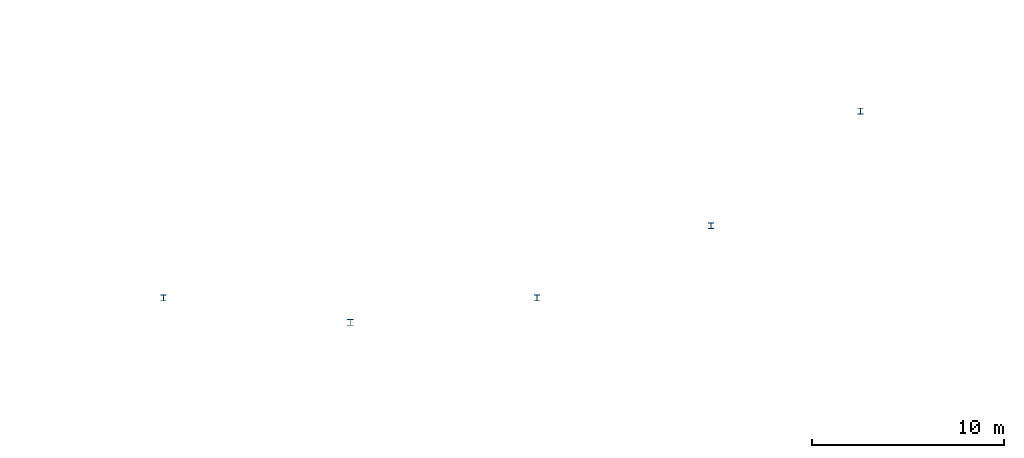
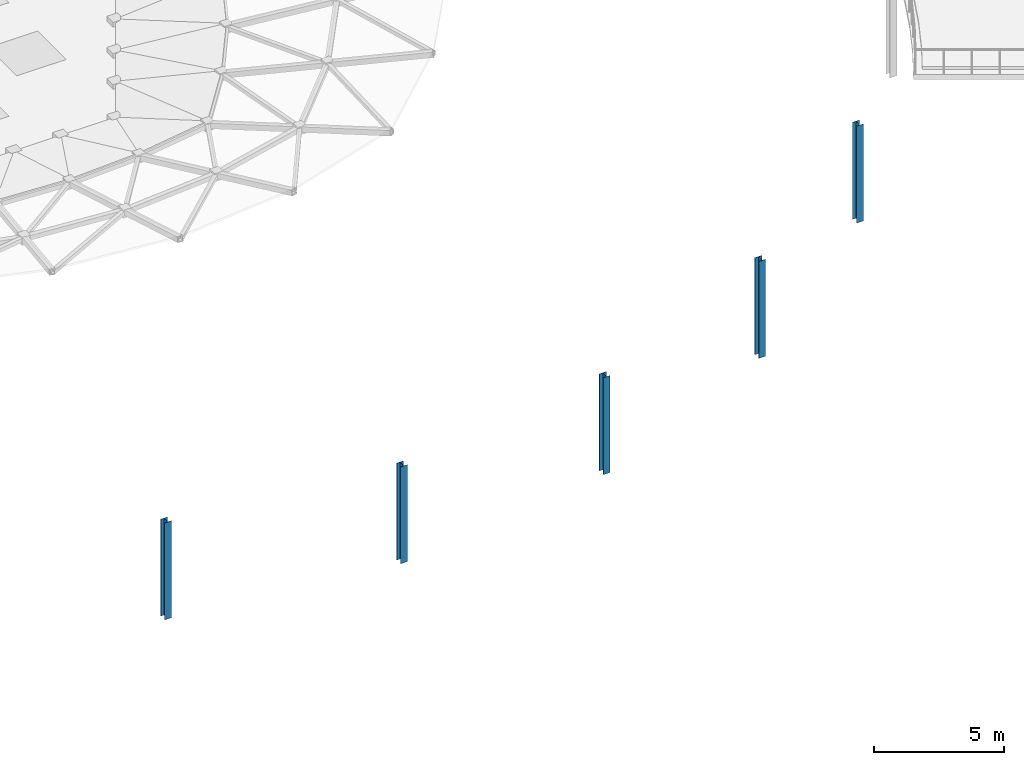
# One storey, part 3 of 116: 5 columns.
"""IFC4 building model written with IfcOpenShell, lengths in metres."""

import ifcopenshell
import ifcopenshell.guid

model = None  # the IFC model being written
_history = None  # IfcOwnerHistory: only IFC2X3 demands one
_inside = {}  # id of a spatial element -> (the spatial element, [elements in it])
_under = {}  # id of a project, library or spatial element -> (it, [spatial elements below it])
_declared = {}  # id of a project -> (the project, [libraries it declares])
_typed = {}  # id of a type object -> (the type object, [elements of that type])
_made_of = {}  # id of a material, layer set ... -> (it, [elements and type objects made of it])


def new_model(schema):
    """Start an empty IFC model of exactly this schema.

    Asked for "IFC4X3", IfcOpenShell would pick the latest addendum, in which some entities
    have other attributes; the version numbers below select the first issue.
    IFC2X3 requires an IfcOwnerHistory on every rooted entity: one is made here for all.
    """
    global model, _history
    if schema == "IFC4X3":
        model = ifcopenshell.file(schema_version=(4, 3, 0, 0))
    else:
        model = ifcopenshell.file(schema=schema)
    _inside.clear()
    _under.clear()
    _declared.clear()
    _typed.clear()
    _made_of.clear()
    _history = None
    if model.schema == "IFC2X3":
        org = make("IfcOrganization", Name="unknown")
        user = make(
            "IfcPersonAndOrganization",
            ThePerson=make("IfcPerson", FamilyName="unknown"),
            TheOrganization=org,
        )
        app = make(
            "IfcApplication",
            ApplicationDeveloper=org,
            Version="unknown",
            ApplicationFullName="unknown",
            ApplicationIdentifier="unknown",
        )
        _history = make(
            "IfcOwnerHistory",
            OwningUser=user,
            OwningApplication=app,
            ChangeAction="ADDED",
            CreationDate=0,
        )
    return model


def make(cls, **values):
    """One entity of the class cls with the attributes given. An attribute that is None is left unset."""
    return model.create_entity(
        cls, **{name: value for name, value in values.items() if value is not None}
    )


def rooted(cls, **values):
    """An entity with a GlobalId (a new one), such as an element, a storey or a relation."""
    return make(cls, GlobalId=ifcopenshell.guid.new(), OwnerHistory=_history, **values)


def si_unit(unit_type, name, prefix=None):
    """IfcSIUnit, for example si_unit("LENGTHUNIT", "METRE", prefix="MILLI")."""
    return make("IfcSIUnit", UnitType=unit_type, Prefix=prefix, Name=name)


def assignment(units):
    """IfcUnitAssignment: the units of a project."""
    return None if units is None else make("IfcUnitAssignment", Units=units)


def point(xyz):
    """IfcCartesianPoint."""
    return None if xyz is None else make("IfcCartesianPoint", Coordinates=xyz)


def direction(xyz):
    """IfcDirection."""
    return None if xyz is None else make("IfcDirection", DirectionRatios=xyz)


def frame(location, z_axis=None, x_axis=None):
    """IfcAxis2Placement3D, a coordinate frame: its origin and axes. An axis left out is left unset."""
    return make(
        "IfcAxis2Placement3D",
        Location=point(location),
        Axis=direction(z_axis),
        RefDirection=direction(x_axis),
    )


def frame_2d(location, x_axis=None):
    """IfcAxis2Placement2D, a coordinate frame in the plane: its origin and x axis."""
    return make(
        "IfcAxis2Placement2D", Location=point(location), RefDirection=direction(x_axis)
    )


def origin():
    """The frame at (0, 0, 0) with its axes left unset."""
    return frame((0.0, 0.0, 0.0))


def origin_2d():
    """The frame at (0, 0) in the plane with its x axis left unset."""
    return frame_2d((0.0, 0.0))


def place(relative_to, where):
    """IfcLocalPlacement: puts the frame where relative to a parent placement (None: the world)."""
    return make(
        "IfcLocalPlacement", PlacementRelTo=relative_to, RelativePlacement=where
    )


def context(
    kind, dimensions, precision=None, world=None, true_north=None, identifier=None
):
    """IfcGeometricRepresentationContext, for example the 3D "Model" context."""
    return make(
        "IfcGeometricRepresentationContext",
        ContextIdentifier=identifier,
        ContextType=kind,
        CoordinateSpaceDimension=dimensions,
        Precision=precision,
        WorldCoordinateSystem=world,
        TrueNorth=true_north,
    )


def subcontext(parent, identifier, kind, view, scale=None):
    """IfcGeometricRepresentationSubContext, for example "Body" below "Model"."""
    return make(
        "IfcGeometricRepresentationSubContext",
        ContextIdentifier=identifier,
        ContextType=kind,
        ParentContext=parent,
        TargetScale=scale,
        TargetView=view,
    )


def project(units=None, contexts=None):
    """IfcProject with its units and contexts."""
    return rooted(
        "IfcProject",
        Name="project",
        RepresentationContexts=contexts,
        UnitsInContext=assignment(units),
    )


def spatial(cls, under=None, at=None, **own):
    """A site, building, storey or space (cls), placed at a placement, below another one or the project."""
    s = rooted(cls, ObjectPlacement=at, **own)
    if under is not None:
        _under.setdefault(under.id(), (under, []))[1].append(s)
    return s


def profile(cls, at=None, kind="AREA", **sizes):
    """A parametric profile (cls). Its sizes go by their IFC names, for example OverallWidth=200.0."""
    return make(cls, ProfileType=kind, Position=at, **sizes)


def i_section(**sizes):
    """IfcIShapeProfileDef."""
    return profile("IfcIShapeProfileDef", **sizes)


def extrude(swept, where, along, depth):
    """IfcExtrudedAreaSolid: the profile swept, set in the frame where, extruded along a direction by depth."""
    return make(
        "IfcExtrudedAreaSolid",
        SweptArea=swept,
        Position=where,
        ExtrudedDirection=direction(along),
        Depth=depth,
    )


def shape(context_of_items, identifier, shape_type, items):
    """IfcShapeRepresentation: the items that make up one representation, for example the "Body"."""
    return make(
        "IfcShapeRepresentation",
        ContextOfItems=context_of_items,
        RepresentationIdentifier=identifier,
        RepresentationType=shape_type,
        Items=items,
    )


def material(Name=None, Category=None):
    """IfcMaterial."""
    return make("IfcMaterial", Name=Name, Category=Category)


def material_profile(
    of_material, cross_section, Name=None, Category=None, Priority=None
):
    """IfcMaterialProfile: a cross section and its material."""
    return make(
        "IfcMaterialProfile",
        Name=Name,
        Material=of_material,
        Profile=cross_section,
        Priority=Priority,
        Category=Category,
    )


def profile_set(profiles, Name=None, composite=None):
    """IfcMaterialProfileSet."""
    return make(
        "IfcMaterialProfileSet",
        Name=Name,
        MaterialProfiles=profiles,
        CompositeProfile=composite,
    )


def made_of(thing, what):
    """Note that an element or type object is made of a material, layer set ...; save() writes the relation."""
    if what is not None:
        _made_of.setdefault(what.id(), (what, []))[1].append(thing)
    return thing


def type_object(cls, material=None, **own):
    """A type object (cls), such as IfcWallType, which elements share."""
    return made_of(rooted(cls, **own), material)


def element(
    cls,
    number,
    at=None,
    inside=None,
    cuts=None,
    type_object=None,
    material=None,
    context=None,
    identifier="Body",
    shape_type=None,
    held_by="IfcProductDefinitionShape",
    body=None,
    shapes=None,
    **own,
):
    """One element of the class cls, such as IfcWall. Its Tag is "e" and its number.

    at: its placement. inside: the storey or other place that contains it. cuts: it is an
    opening in that element (IfcRelVoidsElement). A single representation is given by context,
    identifier, shape_type and body (its items); several are given by shapes. held_by: the class
    of the entity that holds the representations. save() writes the other relations.
    """
    e = rooted(cls, Tag="e%d" % number, ObjectPlacement=at, **own)
    if body is not None:
        shapes = [shape(context, identifier, shape_type, body)]
    if shapes is not None:
        e.Representation = make(held_by, Representations=shapes)
    if inside is not None:
        _inside.setdefault(inside.id(), (inside, []))[1].append(e)
    if cuts is not None:
        rooted(
            "IfcRelVoidsElement", RelatingBuildingElement=cuts, RelatedOpeningElement=e
        )
    if type_object is not None:
        _typed.setdefault(type_object.id(), (type_object, []))[1].append(e)
    return made_of(e, material)


def aggregate(whole, parts):
    """IfcRelAggregates: a whole, such as a stair, and the parts it consists of."""
    return rooted("IfcRelAggregates", RelatingObject=whole, RelatedObjects=parts)


def save(model, path):
    """Write the relations noted so far, then the file.

    IfcRelAggregates (storeys below a building ...), IfcRelContainedInSpatialStructure (elements
    in a storey), IfcRelDefinesByType, IfcRelAssociatesMaterial and IfcRelDeclares: one each for
    every whole, place, type object, material and project.
    """
    for whole, parts in _under.values():
        aggregate(whole, parts)
    for where, things in _inside.values():
        rooted(
            "IfcRelContainedInSpatialStructure",
            RelatedElements=things,
            RelatingStructure=where,
        )
    for kind, things in _typed.values():
        rooted("IfcRelDefinesByType", RelatedObjects=things, RelatingType=kind)
    for what, things in _made_of.values():
        rooted("IfcRelAssociatesMaterial", RelatedObjects=things, RelatingMaterial=what)
    for by, libraries in _declared.values():
        rooted("IfcRelDeclares", RelatingContext=by, RelatedDefinitions=libraries)
    model.write(path)


model = new_model("IFC4")

# Units and contexts
model_context = context("Model", 3, precision=1e-05, world=origin(), true_north=direction((0.0, 1.0)))
body_context = subcontext(model_context, "Body", "Model", "MODEL_VIEW")
ifc_project = project(units=[si_unit("LENGTHUNIT", "METRE"), si_unit("AREAUNIT", "SQUARE_METRE"), si_unit("VOLUMEUNIT", "CUBIC_METRE"), si_unit("PLANEANGLEUNIT", "RADIAN"), si_unit("MASSUNIT", "GRAM", prefix="KILO")], contexts=[model_context])

# Site, building, storey
site_placement = place(None, origin())
site = spatial("IfcSite", under=ifc_project, at=site_placement, CompositionType="ELEMENT")
building_placement = place(site_placement, origin())
building = spatial("IfcBuilding", under=site, at=building_placement, Name="Almandine Court Research Institute", CompositionType="ELEMENT")
storey_placement = place(building_placement, frame((0.0, 0.0, 14.35009765625)))
storey = spatial("IfcBuildingStorey", under=building, at=storey_placement, Name="L03", CompositionType="ELEMENT", Elevation=14.35009765625)

# Columns
ifc_material = material(Name="Steel ASTM A992 Grade 50", Category="steel")
ifc_material_profile = material_profile(ifc_material, i_section(OverallWidth=0.305908203125, OverallDepth=0.31103515625, WebThickness=0.010986328125, FlangeThickness=0.01708984375, at=origin_2d()), Name="W310x107")
ifc_profile_set = profile_set([ifc_material_profile], Name="Steel ASTM A992 Grade 50")
column_type = type_object("IfcColumnType", Name="Col-C-W08", PredefinedType="COLUMN", material=ifc_profile_set)
for number, where, z_axis, x_axis, name in (
    (1, (77.2548828125, 19.633056640625, 0.0), (0.0, 0.0, 1.0), (1.0, 0.0, 0.0), "L03 V2 Column V2-OUT-S17"),
    (2, (87.0, 18.35009765625, 0.0), (0.0, 0.0, 1.0), (1.0, 0.0, 0.0), "L03 V2 Column V2-OUT-S18"),
    (3, (96.7451171875, 19.633056640625, 0.0), (0.0, 0.0, 1.0), (1.0, 0.0, 0.0), "L03 V2 Column V2-OUT-S19"),
    (4, (105.824951171875, 23.39404296875, 0.0), (0.0, 0.0, 1.0), (1.0, 0.0, 0.0), "L03 V2 Column V2-OUT-S20"),
    (5, (113.623046875, 29.376953125, 0.0), (0.0, 0.0, 1.0), (1.0, 0.0, 0.0), "L03 V2 Column V2-OUT-S21"),
):
    element("IfcColumn", number, at=place(storey_placement, frame(where, z_axis=z_axis, x_axis=x_axis)), inside=storey, type_object=column_type, Name=name, PredefinedType="COLUMN", context=body_context, shape_type="SweptSolid", body=[
        extrude(i_section(OverallWidth=0.305908203125, OverallDepth=0.31103515625, WebThickness=0.010986328125, FlangeThickness=0.01708984375, at=origin_2d()), origin(), (0.0, 0.0, 1.0), 4.5498046875),
    ])

save(model, "model.ifc")
